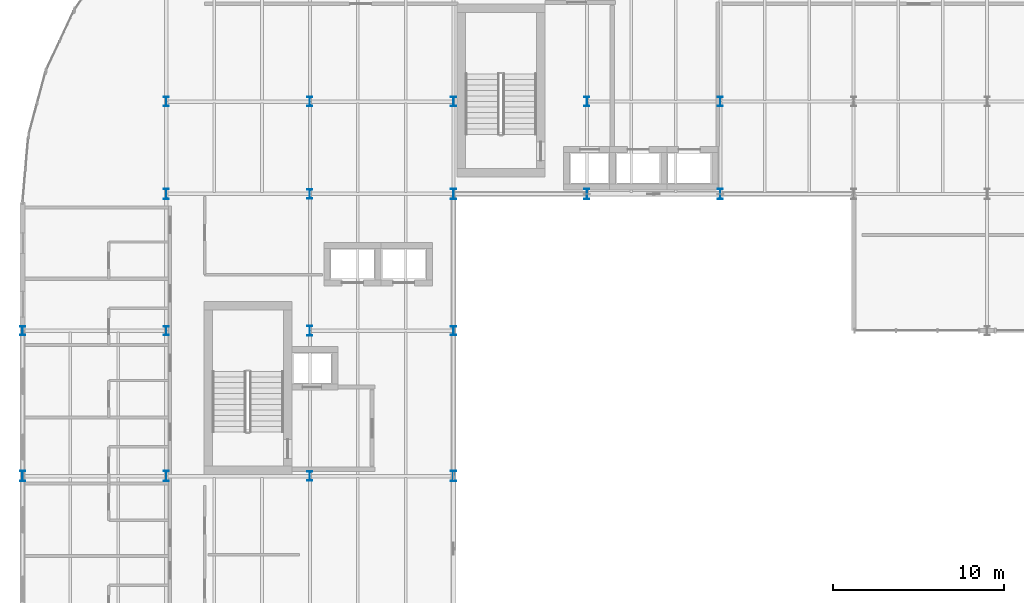
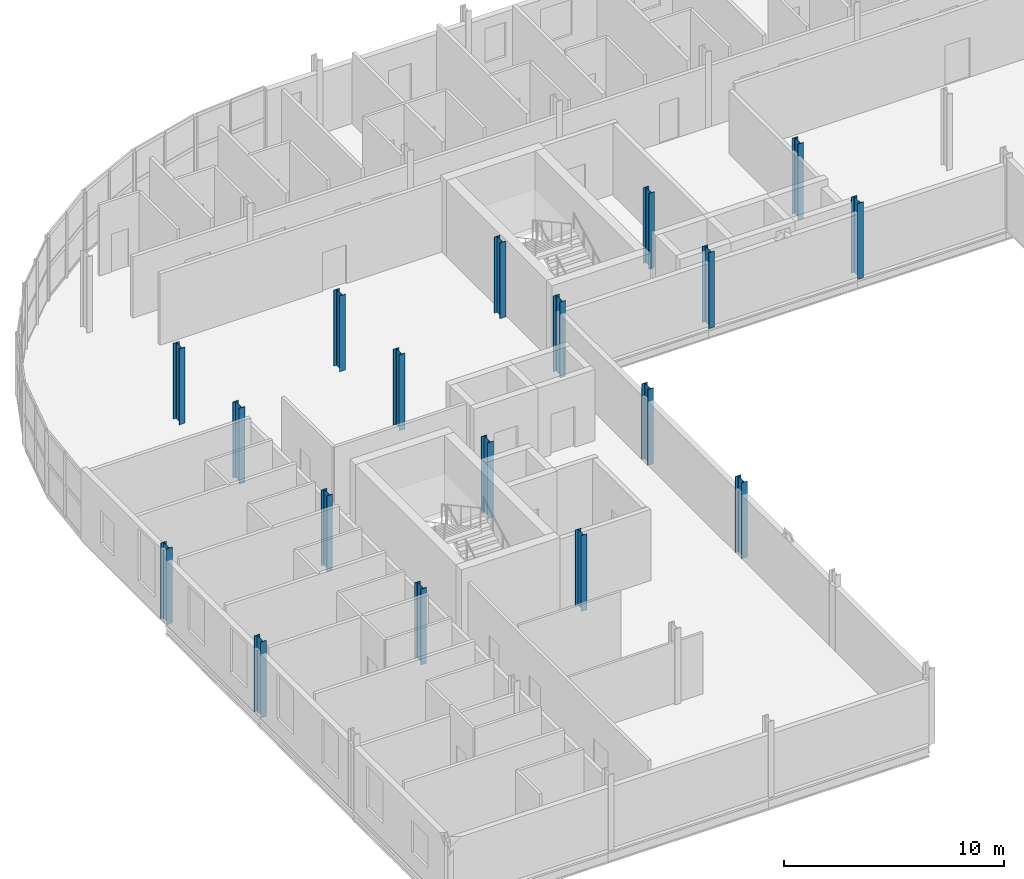
# One storey, part 3 of 45: 18 columns.
"""IFC4 building model written with IfcOpenShell, lengths in metres."""

from ifc_helpers import new_model, si_unit, direction, frame, origin, origin_2d, place, context, subcontext, project, spatial, i_section, extrude, material, material_profile, profile_set, type_object, element, save


model = new_model("IFC4")

# Units and contexts
model_context = context("Model", 3, precision=1e-05, world=origin(), true_north=direction((0.0, 1.0)))
body_context = subcontext(model_context, "Body", "Model", "MODEL_VIEW")
ifc_project = project(units=[si_unit("LENGTHUNIT", "METRE"), si_unit("AREAUNIT", "SQUARE_METRE"), si_unit("VOLUMEUNIT", "CUBIC_METRE"), si_unit("PLANEANGLEUNIT", "RADIAN"), si_unit("MASSUNIT", "GRAM", prefix="KILO")], contexts=[model_context])

# Site, building, storey
site_placement = place(None, origin())
site = spatial("IfcSite", under=ifc_project, at=site_placement, CompositionType="ELEMENT")
building_placement = place(site_placement, origin())
building = spatial("IfcBuilding", under=site, at=building_placement, Name="Sefraquen Railside Congress Hotel", CompositionType="ELEMENT")
storey_placement = place(building_placement, frame((0.0, 0.0, 20.39990234375)))
storey = spatial("IfcBuildingStorey", under=building, at=storey_placement, Name="L04", CompositionType="ELEMENT", Elevation=20.39990234375)

# Columns
ifc_material = material(Name="Steel S355JR", Category="steel")
ifc_material_profile_1 = material_profile(ifc_material, i_section(OverallWidth=0.300048828125, OverallDepth=0.550048828125, WebThickness=0.014892578125, FlangeThickness=0.029052734375, FilletRadius=0.027099609375, at=origin_2d()), Name="HEB 550")
ifc_profile_set_1 = profile_set([ifc_material_profile_1], Name="Steel S355JR")
column_type_1 = type_object("IfcColumnType", Name="TC-HEB-550", PredefinedType="COLUMN", material=ifc_profile_set_1)
for number, where, z_axis, x_axis, name in (
    (1, (0.0, 88.0, 0.0), (0.0, 0.0, 1.0), (1.0, 0.0, 0.0), "Structural column 1-L L04"),
    (2, (8.39990234375, 88.0, 0.0), (0.0, 0.0, 1.0), (1.0, 0.0, 0.0), "Structural column 2-L L04"),
    (3, (16.800048828125, 79.5, 0.0), (0.0, 0.0, 1.0), (1.0, 0.0, 0.0), "Structural column 3-K L04"),
    (4, (16.800048828125, 96.0, 0.0), (0.0, 0.0, 1.0), (1.0, 0.0, 0.0), "Structural column 3-M L04"),
    (5, (25.199951171875, 88.0, 0.0), (0.0, 0.0, 1.0), (1.0, 0.0, 0.0), "Structural column 4-L L04"),
    (6, (8.39990234375, 101.39990234375, 0.0), (0.0, 0.0, 1.0), (1.0, 0.0, 0.0), "Structural column 2-N L04"),
    (7, (16.800048828125, 101.39990234375, 0.0), (0.0, 0.0, 1.0), (1.0, 0.0, 0.0), "Structural column 3-N L04"),
    (8, (25.199951171875, 101.39990234375, 0.0), (0.0, 0.0, 1.0), (1.0, 0.0, 0.0), "Structural column 4-N L04"),
    (9, (33.0, 101.39990234375, 0.0), (0.0, 0.0, 1.0), (1.0, 0.0, 0.0), "Structural column 5-N L04"),
    (10, (40.800048828125, 101.39990234375, 0.0), (0.0, 0.0, 1.0), (1.0, 0.0, 0.0), "Structural column 6-N L04"),
):
    element("IfcColumn", number, at=place(storey_placement, frame(where, z_axis=z_axis, x_axis=x_axis)), inside=storey, type_object=column_type_1, Name=name, PredefinedType="COLUMN", context=body_context, shape_type="SweptSolid", body=[
        extrude(i_section(OverallWidth=0.300048828125, OverallDepth=0.550048828125, WebThickness=0.014892578125, FlangeThickness=0.029052734375, FilletRadius=0.027099609375, at=origin_2d()), origin(), (0.0, 0.0, 1.0), 4.2001953125),
    ])
ifc_material_profile_2 = material_profile(ifc_material, i_section(OverallWidth=0.300048828125, OverallDepth=0.60009765625, WebThickness=0.015380859375, FlangeThickness=0.030029296875, FilletRadius=0.027099609375, at=origin_2d()), Name="HEB 600")
ifc_profile_set_2 = profile_set([ifc_material_profile_2], Name="Steel S355JR")
column_type_2 = type_object("IfcColumnType", Name="TC-HEB-600", PredefinedType="COLUMN", material=ifc_profile_set_2)
for number, where, z_axis, x_axis, name in (
    (11, (0.0, 79.5, 0.0), (0.0, 0.0, 1.0), (1.0, 0.0, 0.0), "Structural column 1-K L04"),
    (12, (8.39990234375, 79.5, 0.0), (0.0, 0.0, 1.0), (1.0, 0.0, 0.0), "Structural column 2-K L04"),
    (13, (8.39990234375, 96.0, 0.0), (0.0, 0.0, 1.0), (1.0, 0.0, 0.0), "Structural column 2-M L04"),
    (14, (16.800048828125, 88.0, 0.0), (0.0, 0.0, 1.0), (1.0, 0.0, 0.0), "Structural column 3-L L04"),
    (15, (25.199951171875, 79.5, 0.0), (0.0, 0.0, 1.0), (1.0, 0.0, 0.0), "Structural column 4-K L04"),
    (16, (25.199951171875, 96.0, 0.0), (0.0, 0.0, 1.0), (1.0, 0.0, 0.0), "Structural column 4-M L04"),
    (17, (33.0, 96.0, 0.0), (0.0, 0.0, 1.0), (1.0, 0.0, 0.0), "Structural column 5-M L04"),
    (18, (40.800048828125, 96.0, 0.0), (0.0, 0.0, 1.0), (1.0, 0.0, 0.0), "Structural column 6-M L04"),
):
    element("IfcColumn", number, at=place(storey_placement, frame(where, z_axis=z_axis, x_axis=x_axis)), inside=storey, type_object=column_type_2, Name=name, PredefinedType="COLUMN", context=body_context, shape_type="SweptSolid", body=[
        extrude(i_section(OverallWidth=0.300048828125, OverallDepth=0.60009765625, WebThickness=0.015380859375, FlangeThickness=0.030029296875, FilletRadius=0.027099609375, at=origin_2d()), origin(), (0.0, 0.0, 1.0), 4.2001953125),
    ])

save(model, "model.ifc")
